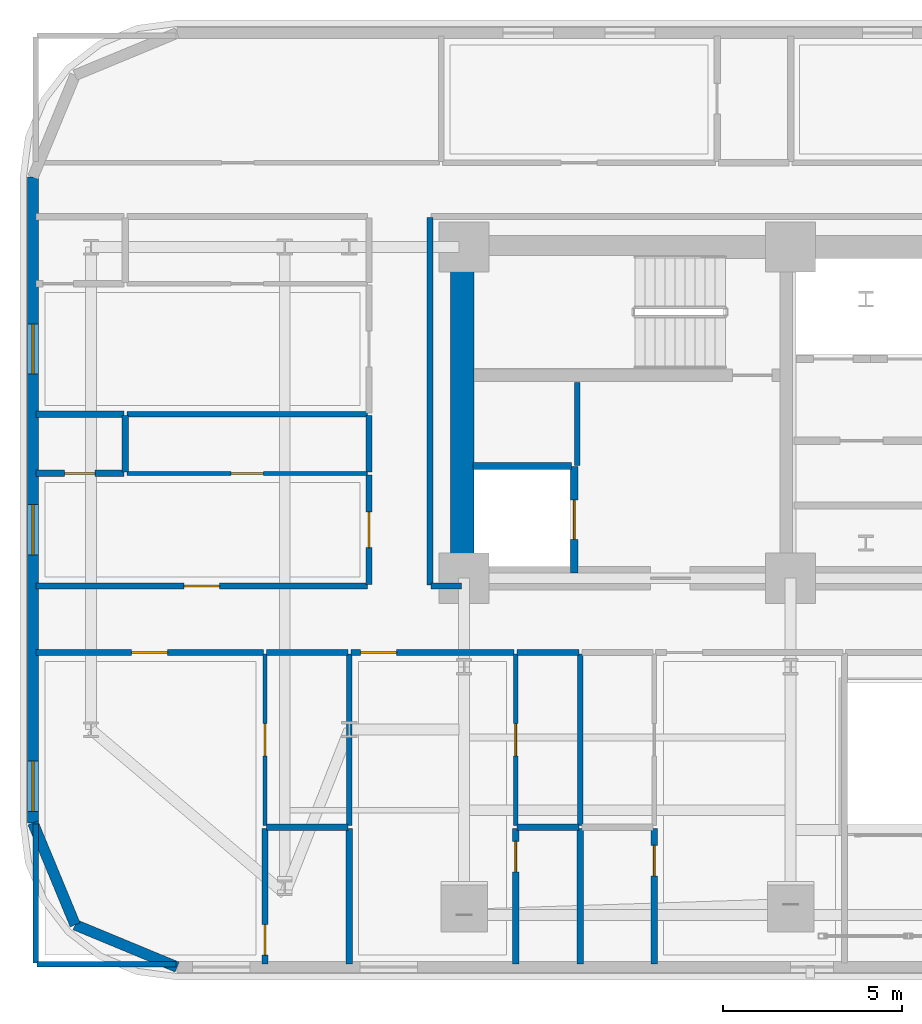
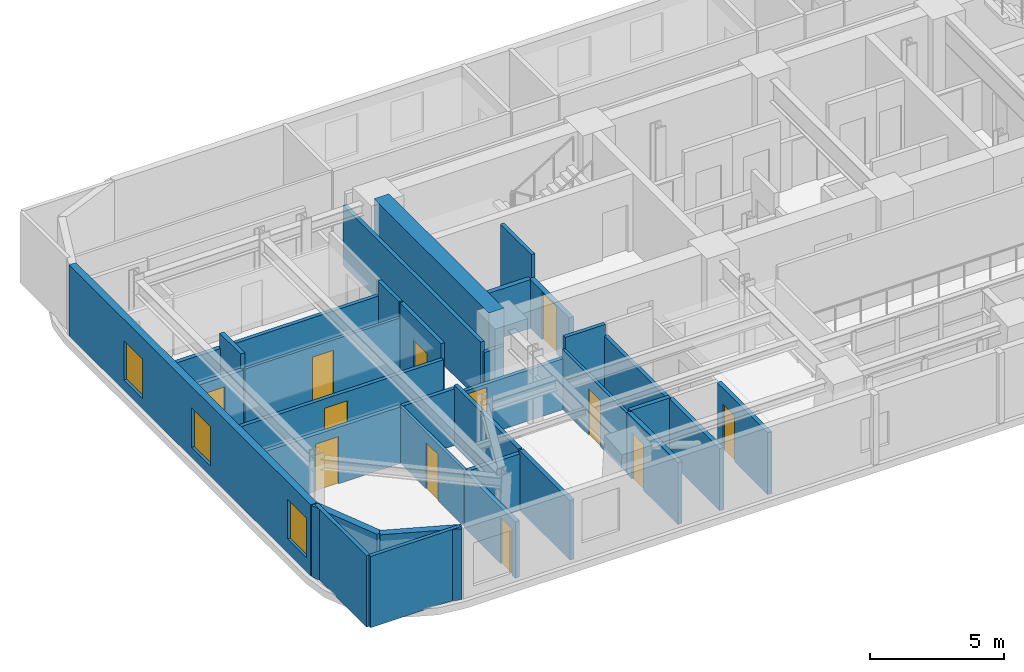
# One storey, part 8 of 16: 34 walls, 12 doors, 3 windows, 15 openings.
"""IFC4 building model written with IfcOpenShell, lengths in metres."""

from ifc_helpers import new_model, si_unit, direction, frame, frame_2d, origin, place, context, subcontext, project, spatial, rectangle, extrude, material, layer, layer_set, type_object, element, fill, save


model = new_model("IFC4")

# Units and contexts
model_context = context("Model", 3, precision=1e-05, world=origin(), true_north=direction((0.0, 1.0)))
body_context = subcontext(model_context, "Body", "Model", "MODEL_VIEW")
ifc_project = project(units=[si_unit("LENGTHUNIT", "METRE"), si_unit("AREAUNIT", "SQUARE_METRE"), si_unit("VOLUMEUNIT", "CUBIC_METRE"), si_unit("PLANEANGLEUNIT", "RADIAN"), si_unit("MASSUNIT", "GRAM", prefix="KILO")], contexts=[model_context])

# Site, building, storey
site_placement = place(None, origin())
site = spatial("IfcSite", under=ifc_project, at=site_placement, CompositionType="ELEMENT")
building_placement = place(site_placement, origin())
building = spatial("IfcBuilding", under=site, at=building_placement, Name="Zarnavel Station Tower", CompositionType="ELEMENT")
storey_placement = place(building_placement, frame((0.0, 0.0, 82.800048828125)))
storey = spatial("IfcBuildingStorey", under=building, at=storey_placement, Name="L22", CompositionType="ELEMENT", Elevation=82.800048828125)

# Wall
ifc_material_1 = material(Name="Concrete C60/75", Category="concrete")
ifc_layer_1 = layer(ifc_material_1, 0.64990234375)
ifc_layer_set_1 = layer_set([ifc_layer_1], Name="CW_650")
wall_type_1 = type_object("IfcWallType", Name="CW_650", PredefinedType="SHEAR", material=ifc_layer_set_1)
wall_1_placement = place(storey_placement, frame((12.14990234375, 28.14501953125, 0.0), z_axis=(0.0, 0.0, 1.0), x_axis=(0.0, 1.0, 0.0)))
element("IfcWall", 1, at=wall_1_placement, inside=storey, type_object=wall_type_1, Name="L22 Rear Core Shear Wall W", PredefinedType="SHEAR", context=body_context, shape_type="SweptSolid", body=[
    extrude(rectangle(XDim=8.580078125, YDim=0.64990234375, at=frame_2d((4.2900390625, 0.0))), origin(), (0.0, 0.0, 1.0), 3.5),
])

# Wall, openings, windows
ifc_material_2 = material(Name="Precast concrete C45/55 (Dark Basalt Finish)", Category="masonry")
ifc_layer_2 = layer(ifc_material_2, 0.300048828125)
ifc_layer_set_2 = layer_set([ifc_layer_2], Name="EW_BASALT_300")
wall_type_2 = type_object("IfcWallType", Name="EW_BASALT_300", PredefinedType="SOLIDWALL", material=ifc_layer_set_2)
wall_2_placement = place(storey_placement, frame((0.179931640625, 21.0, 0.0), z_axis=(0.0, 0.0, 1.0), x_axis=(0.0, 1.0, 0.0)))
wall_2 = element("IfcWall", 2, at=wall_2_placement, inside=storey, type_object=wall_type_2, Name="L22 Exterior Basalt Masonry Frame Wall 09", PredefinedType="SOLIDWALL", context=body_context, shape_type="SweptSolid", body=[
    extrude(rectangle(XDim=18.0, YDim=0.300048828125, at=frame_2d((9.0, 0.0))), origin(), (0.0, 0.0, 1.0), 3.239990234375),
])
opening_1_placement = place(wall_2_placement, frame((7.470458984375, 0.0, 0.47998046875)))
opening_1 = element("IfcOpeningElement", 3, at=opening_1_placement, cuts=wall_2, Name="Opening WN01", PredefinedType="OPENING", context=body_context, shape_type="SweptSolid", body=[
    extrude(rectangle(XDim=1.39990234375, YDim=1.800048828125, at=frame_2d((0.699951171875, 0.89990234375))), frame((0.0, 0.159912109375, 0.0), z_axis=(0.0, -1.0, 0.0), x_axis=(1.0, 0.0, 0.0)), (0.0, 0.0, 1.0), 0.320068359375),
])
opening_2_placement = place(wall_2_placement, frame((12.509033203125, 0.0, 0.47998046875)))
opening_2 = element("IfcOpeningElement", 4, at=opening_2_placement, cuts=wall_2, Name="Opening WN01", PredefinedType="OPENING", context=body_context, shape_type="SweptSolid", body=[
    extrude(rectangle(XDim=1.39990234375, YDim=1.800048828125, at=frame_2d((0.699951171875, 0.89990234375))), frame((0.0, 0.159912109375, 0.0), z_axis=(0.0, -1.0, 0.0), x_axis=(1.0, 0.0, 0.0)), (0.0, 0.0, 1.0), 0.320068359375),
])
opening_3_placement = place(wall_2_placement, frame((0.320068359375, 0.0, 0.64990234375)))
opening_3 = element("IfcOpeningElement", 5, at=opening_3_placement, cuts=wall_2, Name="Opening WN01", PredefinedType="OPENING", context=body_context, shape_type="SweptSolid", body=[
    extrude(rectangle(XDim=1.39990234375, YDim=1.800048828125, at=frame_2d((0.699951171875, 0.89990234375))), frame((0.0, 0.159912109375, 0.0), z_axis=(0.0, -1.0, 0.0), x_axis=(1.0, 0.0, 0.0)), (0.0, 0.0, 1.0), 0.320068359375),
])
ifc_material_3 = material(Name="Thermally Broken Black Aluminium and Low-E Dark Glass", Category="aluminium")
window_type = type_object("IfcWindowType", Name="WN_1400x1800", PartitioningType="DOUBLE_PANEL_VERTICAL", PredefinedType="WINDOW", material=ifc_material_3)
window_1_placement = place(opening_1_placement, origin())
window_1 = element("IfcWindow", 6, at=window_1_placement, inside=storey, type_object=window_type, Name="L22 Recessed Facade Window 01", OverallHeight=1.800048828125, OverallWidth=1.39990234375, PartitioningType="SINGLE_PANEL", PredefinedType="WINDOW", context=body_context, shape_type="SweptSolid", body=[
    extrude(rectangle(XDim=1.39990234375, YDim=1.800048828125, at=frame_2d((0.699951171875, 0.89990234375))), frame((0.0, 0.030029296875, 0.0), z_axis=(0.0, -1.0, 0.0), x_axis=(1.0, 0.0, 0.0)), (0.0, 0.0, 1.0), 0.06005859375),
])
fill(opening_1, window_1)
window_2_placement = place(opening_2_placement, origin())
window_2 = element("IfcWindow", 7, at=window_2_placement, inside=storey, type_object=window_type, Name="L22 Recessed Facade Window 02", OverallHeight=1.800048828125, OverallWidth=1.39990234375, PartitioningType="SINGLE_PANEL", PredefinedType="WINDOW", context=body_context, shape_type="SweptSolid", body=[
    extrude(rectangle(XDim=1.39990234375, YDim=1.800048828125, at=frame_2d((0.699951171875, 0.89990234375))), frame((0.0, 0.030029296875, 0.0), z_axis=(0.0, -1.0, 0.0), x_axis=(1.0, 0.0, 0.0)), (0.0, 0.0, 1.0), 0.06005859375),
])
fill(opening_2, window_2)
window_3_placement = place(opening_3_placement, origin())
window_3 = element("IfcWindow", 8, at=window_3_placement, inside=storey, type_object=window_type, Name="L22 Recessed Facade Window 03", OverallHeight=1.800048828125, OverallWidth=1.39990234375, PartitioningType="SINGLE_PANEL", PredefinedType="WINDOW", context=body_context, shape_type="SweptSolid", body=[
    extrude(rectangle(XDim=1.39990234375, YDim=1.800048828125, at=frame_2d((0.699951171875, 0.89990234375))), frame((0.0, 0.030029296875, 0.0), z_axis=(0.0, -1.0, 0.0), x_axis=(1.0, 0.0, 0.0)), (0.0, 0.0, 1.0), 0.06005859375),
])
fill(opening_3, window_3)

# Walls
for number, where, z_axis, x_axis, name in (
    (9, (1.357421875, 18.157470703125, 0.0), (0.0, 0.0, 1.0), (-0.382704529509, 0.923870793506, 0.0), "L22 Exterior Basalt Masonry Frame Wall 10"),
    (10, (4.199951171875, 16.97998046875, 0.0), (0.0, 0.0, 1.0), (-0.923870793506, 0.382704529509, 0.0), "L22 Exterior Basalt Masonry Frame Wall 11"),
):
    element("IfcWall", number, at=place(storey_placement, frame(where, z_axis=z_axis, x_axis=x_axis)), inside=storey, type_object=wall_type_2, Name=name, PredefinedType="SOLIDWALL", context=body_context, shape_type="SweptSolid", body=[
        extrude(rectangle(XDim=3.07666015625, YDim=0.300048828125, at=frame_2d((1.538330078125, 0.0))), origin(), (0.0, 0.0, 1.0), 3.239990234375),
    ])

# Wall, opening, door
ifc_material_4 = material(Name="Gypsum Twin-Stud Acoustic Fire Partition", Category="concrete")
ifc_layer_3 = layer(ifc_material_4, 0.159912109375)
ifc_layer_set_3 = layer_set([ifc_layer_3], Name="PT_DEMISE_160")
wall_type_3 = type_object("IfcWallType", Name="PT_DEMISE_160", PredefinedType="PARTITIONING", material=ifc_layer_set_3)
wall_3_placement = place(storey_placement, frame((0.260009765625, 27.60009765625, 0.0), z_axis=(0.0, 0.0, 1.0), x_axis=(1.0, 0.0, 0.0)))
wall_3 = element("IfcWall", 11, at=wall_3_placement, inside=storey, type_object=wall_type_3, Name="L22 Partition COR-S-FNW1R", PredefinedType="PARTITIONING", context=body_context, shape_type="SweptSolid", body=[
    extrude(rectangle(XDim=9.25, YDim=0.159912109375, at=frame_2d((4.625, 0.0))), origin(), (0.0, 0.0, 1.0), 2.570068359375),
])
opening_4_placement = place(wall_3_placement, frame((4.125, 0.0, 0.0)))
opening_4 = element("IfcOpeningElement", 12, at=opening_4_placement, cuts=wall_3, Name="Opening FD02", PredefinedType="OPENING", context=body_context, shape_type="SweptSolid", body=[
    extrude(rectangle(XDim=1.0, YDim=2.14990234375, at=frame_2d((0.5, 1.074951171875))), frame((0.0, 0.08984375, 0.0), z_axis=(0.0, -1.0, 0.0), x_axis=(1.0, 0.0, 0.0)), (0.0, 0.0, 1.0), 0.179931640625),
])
ifc_material_5 = material(Name="Painted Galvanised Steel and Hardwood Leaf", Category="steel")
door_type_1 = type_object("IfcDoorType", Name="ID_ENTRY_1000", OperationType="NOTDEFINED", PredefinedType="DOOR", material=ifc_material_5)
door_1_placement = place(opening_4_placement, origin())
door_1 = element("IfcDoor", 13, at=door_1_placement, inside=storey, type_object=door_type_1, Name="L22 Door COR-S-FNW1R", OperationType="SINGLE_SWING_LEFT", OverallHeight=2.14990234375, OverallWidth=1.0, PredefinedType="DOOR", context=body_context, shape_type="SweptSolid", body=[
    extrude(rectangle(XDim=1.0, YDim=2.14990234375, at=frame_2d((0.5, 1.074951171875))), frame((0.0, 0.02490234375, 0.0), z_axis=(0.0, -1.0, 0.0), x_axis=(1.0, 0.0, 0.0)), (0.0, 0.0, 1.0), 0.050048828125),
])
fill(opening_4, door_1)

wall_4_placement = place(storey_placement, frame((0.260009765625, 25.75, 0.0), z_axis=(0.0, 0.0, 1.0), x_axis=(1.0, 0.0, 0.0)))
wall_4 = element("IfcWall", 14, at=wall_4_placement, inside=storey, type_object=wall_type_3, Name="L22 Partition COR-S-HW1R", PredefinedType="PARTITIONING", context=body_context, shape_type="SweptSolid", body=[
    extrude(rectangle(XDim=6.35009765625, YDim=0.159912109375, at=frame_2d((3.175048828125, 0.0))), origin(), (0.0, 0.0, 1.0), 2.570068359375),
])
opening_5_placement = place(wall_4_placement, frame((2.675048828125, 0.0, 0.0)))
opening_5 = element("IfcOpeningElement", 15, at=opening_5_placement, cuts=wall_4, Name="Opening FD02", PredefinedType="OPENING", context=body_context, shape_type="SweptSolid", body=[
    extrude(rectangle(XDim=1.0, YDim=2.14990234375, at=frame_2d((0.5, 1.074951171875))), frame((0.0, 0.08984375, 0.0), z_axis=(0.0, -1.0, 0.0), x_axis=(1.0, 0.0, 0.0)), (0.0, 0.0, 1.0), 0.179931640625),
])
door_2_placement = place(opening_5_placement, origin())
door_2 = element("IfcDoor", 16, at=door_2_placement, inside=storey, type_object=door_type_1, Name="L22 Door COR-S-HW1R", OperationType="SINGLE_SWING_LEFT", OverallHeight=2.14990234375, OverallWidth=1.0, PredefinedType="DOOR", context=body_context, shape_type="SweptSolid", body=[
    extrude(rectangle(XDim=1.0, YDim=2.14990234375, at=frame_2d((0.5, 1.074951171875))), frame((0.0, 0.02490234375, 0.0), z_axis=(0.0, -1.0, 0.0), x_axis=(1.0, 0.0, 0.0)), (0.0, 0.0, 1.0), 0.050048828125),
])
fill(opening_5, door_2)

# Wall
wall_5_placement = place(storey_placement, frame((6.68994140625, 25.75, 0.0), z_axis=(0.0, 0.0, 1.0), x_axis=(1.0, 0.0, 0.0)))
element("IfcWall", 17, at=wall_5_placement, inside=storey, type_object=wall_type_3, Name="L22 Partition COR-S-HW1S", PredefinedType="PARTITIONING", context=body_context, shape_type="SweptSolid", body=[
    extrude(rectangle(XDim=2.27001953125, YDim=0.159912109375, at=frame_2d((1.135009765625, 0.0))), origin(), (0.0, 0.0, 1.0), 2.570068359375),
])

# Wall, opening, door
wall_6_placement = place(storey_placement, frame((9.0400390625, 25.75, 0.0), z_axis=(0.0, 0.0, 1.0), x_axis=(1.0, 0.0, 0.0)))
wall_6 = element("IfcWall", 18, at=wall_6_placement, inside=storey, type_object=wall_type_3, Name="L22 Partition COR-S-HW2R", PredefinedType="PARTITIONING", context=body_context, shape_type="SweptSolid", body=[
    extrude(rectangle(XDim=4.556884765625, YDim=0.159912109375, at=frame_2d((2.2783203125, 0.0))), origin(), (0.0, 0.0, 1.0), 2.31005859375),
])
opening_6_placement = place(wall_6_placement, frame((0.276611328125, 0.0, 0.0)))
opening_6 = element("IfcOpeningElement", 19, at=opening_6_placement, cuts=wall_6, Name="Opening FD02", PredefinedType="OPENING", context=body_context, shape_type="SweptSolid", body=[
    extrude(rectangle(XDim=1.0, YDim=2.14990234375, at=frame_2d((0.5, 1.074951171875))), frame((0.0, 0.08984375, 0.0), z_axis=(0.0, -1.0, 0.0), x_axis=(1.0, 0.0, 0.0)), (0.0, 0.0, 1.0), 0.179931640625),
])
door_3_placement = place(opening_6_placement, origin())
door_3 = element("IfcDoor", 20, at=door_3_placement, inside=storey, type_object=door_type_1, Name="L22 Door COR-S-HW2R", OperationType="SINGLE_SWING_RIGHT", OverallHeight=2.14990234375, OverallWidth=1.0, PredefinedType="DOOR", context=body_context, shape_type="SweptSolid", body=[
    extrude(rectangle(XDim=1.0, YDim=2.14990234375, at=frame_2d((0.5, 1.074951171875))), frame((0.0, 0.02490234375, 0.0), z_axis=(0.0, -1.0, 0.0), x_axis=(1.0, 0.0, 0.0)), (0.0, 0.0, 1.0), 0.050048828125),
])
fill(opening_6, door_3)

# Wall
wall_7_placement = place(storey_placement, frame((13.677001953125, 25.75, 0.0), z_axis=(0.0, 0.0, 1.0), x_axis=(1.0, 0.0, 0.0)))
element("IfcWall", 21, at=wall_7_placement, inside=storey, type_object=wall_type_3, Name="L22 Partition COR-S-HW2S", PredefinedType="PARTITIONING", context=body_context, shape_type="SweptSolid", body=[
    extrude(rectangle(XDim=1.722900390625, YDim=0.159912109375, at=frame_2d((0.861328125, 0.0))), origin(), (0.0, 0.0, 1.0), 3.239990234375),
])

# Wall, opening, door
wall_8_placement = place(storey_placement, frame((9.550048828125, 27.639892578125, 0.0), z_axis=(0.0, 0.0, 1.0), x_axis=(0.0, 1.0, 0.0)))
wall_8 = element("IfcWall", 22, at=wall_8_placement, inside=storey, type_object=wall_type_3, Name="L22 Partition COR-W-FNW1R", PredefinedType="PARTITIONING", context=body_context, shape_type="SweptSolid", body=[
    extrude(rectangle(XDim=3.06103515625, YDim=0.159912109375, at=frame_2d((1.530517578125, 0.0))), origin(), (0.0, 0.0, 1.0), 3.239990234375),
])
opening_7_placement = place(wall_8_placement, frame((1.030517578125, 0.0, 0.0)))
opening_7 = element("IfcOpeningElement", 23, at=opening_7_placement, cuts=wall_8, Name="Opening FD02", PredefinedType="OPENING", context=body_context, shape_type="SweptSolid", body=[
    extrude(rectangle(XDim=1.0, YDim=2.14990234375, at=frame_2d((0.5, 1.074951171875))), frame((0.0, 0.08984375, 0.0), z_axis=(0.0, -1.0, 0.0), x_axis=(1.0, 0.0, 0.0)), (0.0, 0.0, 1.0), 0.179931640625),
])
door_4_placement = place(opening_7_placement, origin())
door_4 = element("IfcDoor", 24, at=door_4_placement, inside=storey, type_object=door_type_1, Name="L22 Door COR-W-FNW1R", OperationType="SINGLE_SWING_LEFT", OverallHeight=2.14990234375, OverallWidth=1.0, PredefinedType="DOOR", context=body_context, shape_type="SweptSolid", body=[
    extrude(rectangle(XDim=1.0, YDim=2.14990234375, at=frame_2d((0.5, 1.074951171875))), frame((0.0, 0.02490234375, 0.0), z_axis=(0.0, -1.0, 0.0), x_axis=(1.0, 0.0, 0.0)), (0.0, 0.0, 1.0), 0.050048828125),
])
fill(opening_7, door_4)

# Walls
wall_9_placement = place(storey_placement, frame((9.550048828125, 30.781005859375, 0.0), z_axis=(0.0, 0.0, 1.0), x_axis=(0.0, 1.0, 0.0)))
element("IfcWall", 25, at=wall_9_placement, inside=storey, type_object=wall_type_3, Name="L22 Partition COR-W-FNW1S", PredefinedType="PARTITIONING", context=body_context, shape_type="SweptSolid", body=[
    extrude(rectangle(XDim=1.570068359375, YDim=0.159912109375, at=frame_2d((0.78515625, 0.0))), origin(), (0.0, 0.0, 1.0), 3.239990234375),
])
wall_10_placement = place(storey_placement, frame((2.800048828125, 32.39111328125, 0.0), z_axis=(0.0, 0.0, 1.0), x_axis=(1.0, 0.0, 0.0)))
element("IfcWall", 26, at=wall_10_placement, inside=storey, type_object=wall_type_3, Name="L22 Partition FNW1S-FNW2R", PredefinedType="PARTITIONING", context=body_context, shape_type="SweptSolid", body=[
    extrude(rectangle(XDim=6.7099609375, YDim=0.159912109375, at=frame_2d((3.35498046875, 0.0))), origin(), (0.0, 0.0, 1.0), 2.570068359375),
])
for number, where, z_axis, x_axis, name in (
    (27, (9.0, 20.924072265625, 0.0), (0.0, 0.0, 1.0), (0.0, 1.0, 0.0), "L22 Partition HW1S-HW2R"),
    (28, (15.43994140625, 20.924072265625, 0.0), (0.0, 0.0, 1.0), (0.0, 1.0, 0.0), "L22 Partition HW2S-HW3S"),
):
    element("IfcWall", number, at=place(storey_placement, frame(where, z_axis=z_axis, x_axis=x_axis)), inside=storey, type_object=wall_type_3, Name=name, PredefinedType="PARTITIONING", context=body_context, shape_type="SweptSolid", body=[
        extrude(rectangle(XDim=4.785888671875, YDim=0.159912109375, at=frame_2d((2.39306640625, 0.0))), origin(), (0.0, 0.0, 1.0), 2.719970703125),
    ])
wall_11_placement = place(storey_placement, frame((15.35009765625, 30.9599609375, 0.0), z_axis=(0.0, 0.0, 1.0), x_axis=(0.0, 1.0, 0.0)))
element("IfcWall", 29, at=wall_11_placement, inside=storey, type_object=wall_type_3, Name="L22 Enclosure Wall FFL1", PredefinedType="PARTITIONING", context=body_context, shape_type="SweptSolid", body=[
    extrude(rectangle(XDim=2.31005859375, YDim=0.159912109375, at=frame_2d((1.155029296875, 0.0))), origin(), (0.0, 0.0, 1.0), 3.239990234375),
])
wall_12_placement = place(storey_placement, frame((11.280029296875, 27.60009765625, 0.0), z_axis=(0.0, 0.0, 1.0), x_axis=(1.0, 0.0, 0.0)))
element("IfcWall", 30, at=wall_12_placement, inside=storey, type_object=wall_type_3, Name="L22 Enclosure Wall COR-S", PredefinedType="PARTITIONING", context=body_context, shape_type="SweptSolid", body=[
    extrude(rectangle(XDim=0.840087890625, YDim=0.159912109375, at=frame_2d((0.419921875, 0.0))), origin(), (0.0, 0.0, 1.0), 2.280029296875),
])
wall_13_placement = place(storey_placement, frame((11.25, 27.6298828125, 0.0), z_axis=(0.0, 0.0, 1.0), x_axis=(0.0, 1.0, 0.0)))
element("IfcWall", 31, at=wall_13_placement, inside=storey, type_object=wall_type_3, Name="L22 Enclosure Wall COR-W", PredefinedType="PARTITIONING", context=body_context, shape_type="SweptSolid", body=[
    extrude(rectangle(XDim=10.240234375, YDim=0.159912109375, at=frame_2d((5.1201171875, 0.0))), origin(), (0.0, 0.0, 1.0), 2.719970703125),
])
for number, where, z_axis, x_axis, name in (
    (32, (0.2900390625, 17.06005859375, 0.0), (0.0, 0.0, 1.0), (1.0, 0.0, 0.0), "L22 Enclosure Wall HW1R"),
    (33, (0.260009765625, 17.090087890625, 0.0), (0.0, 0.0, 1.0), (0.0, 1.0, 0.0), "L22 Enclosure Wall HW1R"),
):
    element("IfcWall", number, at=place(storey_placement, frame(where, z_axis=z_axis, x_axis=x_axis)), inside=storey, type_object=wall_type_3, Name=name, PredefinedType="PARTITIONING", context=body_context, shape_type="SweptSolid", body=[
        extrude(rectangle(XDim=3.8798828125, YDim=0.159912109375, at=frame_2d((1.93994140625, 0.0))), origin(), (0.0, 0.0, 1.0), 3.239990234375),
    ])

# Wall, opening, door
ifc_material_6 = material(Name="Gypsum Metal-Stud Interior Partition", Category="concrete")
ifc_layer_4 = layer(ifc_material_6, 0.1201171875)
ifc_layer_set_4 = layer_set([ifc_layer_4], Name="PT_ROOM_120")
wall_type_4 = type_object("IfcWallType", Name="PT_ROOM_120", PredefinedType="PARTITIONING", material=ifc_layer_set_4)
wall_14_placement = place(storey_placement, frame((2.800048828125, 30.740966796875, 0.0), z_axis=(0.0, 0.0, 1.0), x_axis=(1.0, 0.0, 0.0)))
wall_14 = element("IfcWall", 34, at=wall_14_placement, inside=storey, type_object=wall_type_4, Name="L22 Partition FNW1R-FNW1S", PredefinedType="PARTITIONING", context=body_context, shape_type="SweptSolid", body=[
    extrude(rectangle(XDim=6.7099609375, YDim=0.1201171875, at=frame_2d((3.35498046875, 0.0))), origin(), (0.0, 0.0, 1.0), 2.570068359375),
])
opening_8_placement = place(wall_14_placement, frame((2.905029296875, 0.0, 0.0)))
opening_8 = element("IfcOpeningElement", 35, at=opening_8_placement, cuts=wall_14, Name="Opening ID01", PredefinedType="OPENING", context=body_context, shape_type="SweptSolid", body=[
    extrude(rectangle(XDim=0.89990234375, YDim=2.10009765625, at=frame_2d((0.449951171875, 1.050048828125))), frame((0.0, 0.070068359375, 0.0), z_axis=(0.0, -1.0, 0.0), x_axis=(1.0, 0.0, 0.0)), (0.0, 0.0, 1.0), 0.14013671875),
])
ifc_material_7 = material(Name="Painted Galvanised Steel and Hardwood Leaf", Category="steel")
door_type_2 = type_object("IfcDoorType", Name="ID_ROOM_900", OperationType="NOTDEFINED", PredefinedType="DOOR", material=ifc_material_7)
door_5_placement = place(opening_8_placement, origin())
door_5 = element("IfcDoor", 36, at=door_5_placement, inside=storey, type_object=door_type_2, Name="L22 Door FNW1R-FNW1S", OperationType="SINGLE_SWING_RIGHT", OverallHeight=2.10009765625, OverallWidth=0.89990234375, PredefinedType="DOOR", context=body_context, shape_type="SweptSolid", body=[
    extrude(rectangle(XDim=0.89990234375, YDim=2.10009765625, at=frame_2d((0.449951171875, 1.050048828125))), frame((0.0, 0.02490234375, 0.0), z_axis=(0.0, -1.0, 0.0), x_axis=(1.0, 0.0, 0.0)), (0.0, 0.0, 1.0), 0.050048828125),
])
fill(opening_8, door_5)

wall_15_placement = place(storey_placement, frame((6.64990234375, 20.924072265625, 0.0), z_axis=(0.0, 0.0, 1.0), x_axis=(0.0, 1.0, 0.0)))
wall_15 = element("IfcWall", 37, at=wall_15_placement, inside=storey, type_object=wall_type_4, Name="L22 Partition HW1R-HW1S", PredefinedType="PARTITIONING", context=body_context, shape_type="SweptSolid", body=[
    extrude(rectangle(XDim=4.785888671875, YDim=0.1201171875, at=frame_2d((2.39306640625, 0.0))), origin(), (0.0, 0.0, 1.0), 2.570068359375),
])
opening_9_placement = place(wall_15_placement, frame((1.943115234375, 0.0, 0.0)))
opening_9 = element("IfcOpeningElement", 38, at=opening_9_placement, cuts=wall_15, Name="Opening ID01", PredefinedType="OPENING", context=body_context, shape_type="SweptSolid", body=[
    extrude(rectangle(XDim=0.89990234375, YDim=2.10009765625, at=frame_2d((0.449951171875, 1.050048828125))), frame((0.0, 0.070068359375, 0.0), z_axis=(0.0, -1.0, 0.0), x_axis=(1.0, 0.0, 0.0)), (0.0, 0.0, 1.0), 0.14013671875),
])
door_6_placement = place(opening_9_placement, origin())
door_6 = element("IfcDoor", 39, at=door_6_placement, inside=storey, type_object=door_type_2, Name="L22 Door HW1R-HW1S", OperationType="SINGLE_SWING_LEFT", OverallHeight=2.10009765625, OverallWidth=0.89990234375, PredefinedType="DOOR", context=body_context, shape_type="SweptSolid", body=[
    extrude(rectangle(XDim=0.89990234375, YDim=2.10009765625, at=frame_2d((0.449951171875, 1.050048828125))), frame((0.0, 0.02490234375, 0.0), z_axis=(0.0, -1.0, 0.0), x_axis=(1.0, 0.0, 0.0)), (0.0, 0.0, 1.0), 0.050048828125),
])
fill(opening_9, door_6)

wall_16_placement = place(storey_placement, frame((13.636962890625, 20.924072265625, 0.0), z_axis=(0.0, 0.0, 1.0), x_axis=(0.0, 1.0, 0.0)))
wall_16 = element("IfcWall", 40, at=wall_16_placement, inside=storey, type_object=wall_type_4, Name="L22 Partition HW2R-HW2S", PredefinedType="PARTITIONING", context=body_context, shape_type="SweptSolid", body=[
    extrude(rectangle(XDim=4.785888671875, YDim=0.1201171875, at=frame_2d((2.39306640625, 0.0))), origin(), (0.0, 0.0, 1.0), 2.719970703125),
])
opening_10_placement = place(wall_16_placement, frame((1.943115234375, 0.0, 0.0)))
opening_10 = element("IfcOpeningElement", 41, at=opening_10_placement, cuts=wall_16, Name="Opening ID01", PredefinedType="OPENING", context=body_context, shape_type="SweptSolid", body=[
    extrude(rectangle(XDim=0.89990234375, YDim=2.10009765625, at=frame_2d((0.449951171875, 1.050048828125))), frame((0.0, 0.070068359375, 0.0), z_axis=(0.0, -1.0, 0.0), x_axis=(1.0, 0.0, 0.0)), (0.0, 0.0, 1.0), 0.14013671875),
])
door_7_placement = place(opening_10_placement, origin())
door_7 = element("IfcDoor", 42, at=door_7_placement, inside=storey, type_object=door_type_2, Name="L22 Door HW2R-HW2S", OperationType="SINGLE_SWING_LEFT", OverallHeight=2.10009765625, OverallWidth=0.89990234375, PredefinedType="DOOR", context=body_context, shape_type="SweptSolid", body=[
    extrude(rectangle(XDim=0.89990234375, YDim=2.10009765625, at=frame_2d((0.449951171875, 1.050048828125))), frame((0.0, 0.02490234375, 0.0), z_axis=(0.0, -1.0, 0.0), x_axis=(1.0, 0.0, 0.0)), (0.0, 0.0, 1.0), 0.050048828125),
])
fill(opening_10, door_7)

ifc_material_8 = material(Name="Precast concrete C45/55 (Fire Shaft Blockwork)", Category="masonry")
ifc_layer_5 = layer(ifc_material_8, 0.199951171875)
ifc_layer_set_5 = layer_set([ifc_layer_5], Name="PT_SHAFT_200")
wall_type_5 = type_object("IfcWallType", Name="PT_SHAFT_200", PredefinedType="PARTITIONING", material=ifc_layer_set_5)
wall_17_placement = place(storey_placement, frame((15.27001953125, 27.969970703125, 0.0), z_axis=(0.0, 0.0, 1.0), x_axis=(0.0, 1.0, 0.0)))
wall_17 = element("IfcWall", 43, at=wall_17_placement, inside=storey, type_object=wall_type_5, Name="L22 Lift FFL-01 Shaft Front Wall", PredefinedType="PARTITIONING", context=body_context, shape_type="SweptSolid", body=[
    extrude(rectangle(XDim=2.9599609375, YDim=0.199951171875, at=frame_2d((1.47998046875, 0.0))), origin(), (0.0, 0.0, 1.0), 2.2119140625),
])
opening_11_placement = place(wall_17_placement, frame((0.929931640625, 0.0, 0.0)))
opening_11 = element("IfcOpeningElement", 44, at=opening_11_placement, cuts=wall_17, Name="Opening LD01", PredefinedType="OPENING", context=body_context, shape_type="SweptSolid", body=[
    extrude(rectangle(XDim=1.10009765625, YDim=2.14990234375, at=frame_2d((0.550048828125, 1.074951171875))), frame((0.0, 0.10986328125, 0.0), z_axis=(0.0, -1.0, 0.0), x_axis=(1.0, 0.0, 0.0)), (0.0, 0.0, 1.0), 0.219970703125),
])
ifc_material_9 = material(Name="Painted Galvanised Steel and Hardwood Leaf", Category="steel")
door_type_3 = type_object("IfcDoorType", Name="LD_FF_1100", OperationType="DOUBLE_DOOR_SLIDING", PredefinedType="DOOR", material=ifc_material_9)
door_8_placement = place(opening_11_placement, origin())
door_8 = element("IfcDoor", 45, at=door_8_placement, inside=storey, type_object=door_type_3, Name="L22 Lift FFL-01 Sliding Landing Door", OperationType="DOUBLE_DOOR_SLIDING", OverallHeight=2.14990234375, OverallWidth=1.10009765625, PredefinedType="DOOR", context=body_context, shape_type="SweptSolid", body=[
    extrude(rectangle(XDim=1.10009765625, YDim=2.14990234375, at=frame_2d((0.550048828125, 1.074951171875))), frame((0.0, 0.02490234375, 0.0), z_axis=(0.0, -1.0, 0.0), x_axis=(1.0, 0.0, 0.0)), (0.0, 0.0, 1.0), 0.050048828125),
])
fill(opening_11, door_8)

# Wall
wall_18_placement = place(storey_placement, frame((12.449951171875, 30.949951171875, 0.0), z_axis=(0.0, 0.0, 1.0), x_axis=(1.0, 0.0, 0.0)))
element("IfcWall", 46, at=wall_18_placement, inside=storey, type_object=wall_type_5, Name="L22 Lift FFL-01 North Shaft Wall", PredefinedType="PARTITIONING", context=body_context, shape_type="SweptSolid", body=[
    extrude(rectangle(XDim=2.75, YDim=0.199951171875, at=frame_2d((1.375, 0.0))), origin(), (0.0, 0.0, 1.0), 2.2119140625),
])

# Wall, opening, door
ifc_material_10 = material(Name="Moisture-Resistant Plumbing Chase Wall", Category="concrete")
ifc_layer_6 = layer(ifc_material_10, 0.179931640625)
ifc_layer_set_6 = layer_set([ifc_layer_6], Name="PW_PLUMB_180")
wall_type_6 = type_object("IfcWallType", Name="PW_PLUMB_180", PredefinedType="PLUMBINGWALL", material=ifc_layer_set_6)
wall_19_placement = place(storey_placement, frame((0.260009765625, 30.740966796875, 0.0), z_axis=(0.0, 0.0, 1.0), x_axis=(1.0, 0.0, 0.0)))
wall_19 = element("IfcWall", 47, at=wall_19_placement, inside=storey, type_object=wall_type_6, Name="L22 Partition FNW1R-FNW1B", PredefinedType="PLUMBINGWALL", context=body_context, shape_type="SweptSolid", body=[
    extrude(rectangle(XDim=2.4599609375, YDim=0.179931640625, at=frame_2d((1.22998046875, 0.0))), origin(), (0.0, 0.0, 1.0), 2.570068359375),
])
opening_12_placement = place(wall_19_placement, frame((0.804931640625, 0.0, 0.0)))
opening_12 = element("IfcOpeningElement", 48, at=opening_12_placement, cuts=wall_19, Name="Opening ID02", PredefinedType="OPENING", context=body_context, shape_type="SweptSolid", body=[
    extrude(rectangle(XDim=0.85009765625, YDim=2.10009765625, at=frame_2d((0.425048828125, 1.050048828125))), frame((0.0, 0.099853515625, 0.0), z_axis=(0.0, -1.0, 0.0), x_axis=(1.0, 0.0, 0.0)), (0.0, 0.0, 1.0), 0.199951171875),
])
ifc_material_11 = material(Name="Painted Galvanised Steel and Hardwood Leaf", Category="steel")
door_type_4 = type_object("IfcDoorType", Name="ID_BATH_850", OperationType="NOTDEFINED", PredefinedType="DOOR", material=ifc_material_11)
door_9_placement = place(opening_12_placement, origin())
door_9 = element("IfcDoor", 49, at=door_9_placement, inside=storey, type_object=door_type_4, Name="L22 Door FNW1R-FNW1B", OperationType="SINGLE_SWING_LEFT", OverallHeight=2.10009765625, OverallWidth=0.85009765625, PredefinedType="DOOR", context=body_context, shape_type="SweptSolid", body=[
    extrude(rectangle(XDim=0.85009765625, YDim=2.10009765625, at=frame_2d((0.425048828125, 1.050048828125))), frame((0.0, 0.02490234375, 0.0), z_axis=(0.0, -1.0, 0.0), x_axis=(1.0, 0.0, 0.0)), (0.0, 0.0, 1.0), 0.050048828125),
])
fill(opening_12, door_9)

# Walls
wall_20_placement = place(storey_placement, frame((2.760009765625, 30.781005859375, 0.0), z_axis=(0.0, 0.0, 1.0), x_axis=(0.0, 1.0, 0.0)))
element("IfcWall", 50, at=wall_20_placement, inside=storey, type_object=wall_type_6, Name="L22 Partition FNW1B-FNW1S", PredefinedType="PLUMBINGWALL", context=body_context, shape_type="SweptSolid", body=[
    extrude(rectangle(XDim=1.570068359375, YDim=0.179931640625, at=frame_2d((0.78515625, 0.0))), origin(), (0.0, 0.0, 1.0), 3.239990234375),
])
wall_21_placement = place(storey_placement, frame((0.260009765625, 32.39111328125, 0.0), z_axis=(0.0, 0.0, 1.0), x_axis=(1.0, 0.0, 0.0)))
element("IfcWall", 51, at=wall_21_placement, inside=storey, type_object=wall_type_6, Name="L22 Partition FNW1B-FNW2R", PredefinedType="PLUMBINGWALL", context=body_context, shape_type="SweptSolid", body=[
    extrude(rectangle(XDim=2.4599609375, YDim=0.179931640625, at=frame_2d((1.22998046875, 0.0))), origin(), (0.0, 0.0, 1.0), 2.570068359375),
])

# Wall, opening, door
wall_22_placement = place(storey_placement, frame((6.64990234375, 17.06005859375, 0.0), z_axis=(0.0, 0.0, 1.0), x_axis=(0.0, 1.0, 0.0)))
wall_22 = element("IfcWall", 52, at=wall_22_placement, inside=storey, type_object=wall_type_6, Name="L22 Partition HW1R-HW1B", PredefinedType="PLUMBINGWALL", context=body_context, shape_type="SweptSolid", body=[
    extrude(rectangle(XDim=3.783935546875, YDim=0.179931640625, at=frame_2d((1.89208984375, 0.0))), origin(), (0.0, 0.0, 1.0), 2.570068359375),
])
opening_13_placement = place(wall_22_placement, frame((0.25048828125, 0.0, 0.0)))
opening_13 = element("IfcOpeningElement", 53, at=opening_13_placement, cuts=wall_22, Name="Opening ID02", PredefinedType="OPENING", context=body_context, shape_type="SweptSolid", body=[
    extrude(rectangle(XDim=0.85009765625, YDim=2.10009765625, at=frame_2d((0.425048828125, 1.050048828125))), frame((0.0, 0.099853515625, 0.0), z_axis=(0.0, -1.0, 0.0), x_axis=(1.0, 0.0, 0.0)), (0.0, 0.0, 1.0), 0.199951171875),
])
door_10_placement = place(opening_13_placement, origin())
door_10 = element("IfcDoor", 54, at=door_10_placement, inside=storey, type_object=door_type_4, Name="L22 Door HW1R-HW1B", OperationType="SINGLE_SWING_RIGHT", OverallHeight=2.10009765625, OverallWidth=0.85009765625, PredefinedType="DOOR", context=body_context, shape_type="SweptSolid", body=[
    extrude(rectangle(XDim=0.85009765625, YDim=2.10009765625, at=frame_2d((0.425048828125, 1.050048828125))), frame((0.0, 0.02490234375, 0.0), z_axis=(0.0, -1.0, 0.0), x_axis=(1.0, 0.0, 0.0)), (0.0, 0.0, 1.0), 0.050048828125),
])
fill(opening_13, door_10)

# Walls
wall_23_placement = place(storey_placement, frame((6.68994140625, 20.884033203125, 0.0), z_axis=(0.0, 0.0, 1.0), x_axis=(1.0, 0.0, 0.0)))
element("IfcWall", 55, at=wall_23_placement, inside=storey, type_object=wall_type_6, Name="L22 Partition HW1B-HW1S", PredefinedType="PLUMBINGWALL", context=body_context, shape_type="SweptSolid", body=[
    extrude(rectangle(XDim=2.27001953125, YDim=0.179931640625, at=frame_2d((1.135009765625, 0.0))), origin(), (0.0, 0.0, 1.0), 2.570068359375),
])
wall_24_placement = place(storey_placement, frame((9.0, 17.06005859375, 0.0), z_axis=(0.0, 0.0, 1.0), x_axis=(0.0, 1.0, 0.0)))
element("IfcWall", 56, at=wall_24_placement, inside=storey, type_object=wall_type_6, Name="L22 Partition HW1B-HW2R", PredefinedType="PLUMBINGWALL", context=body_context, shape_type="SweptSolid", body=[
    extrude(rectangle(XDim=3.783935546875, YDim=0.179931640625, at=frame_2d((1.89208984375, 0.0))), origin(), (0.0, 0.0, 1.0), 2.719970703125),
])

# Wall, opening, door
wall_25_placement = place(storey_placement, frame((13.636962890625, 17.06005859375, 0.0), z_axis=(0.0, 0.0, 1.0), x_axis=(0.0, 1.0, 0.0)))
wall_25 = element("IfcWall", 57, at=wall_25_placement, inside=storey, type_object=wall_type_6, Name="L22 Partition HW2R-HW2B", PredefinedType="PLUMBINGWALL", context=body_context, shape_type="SweptSolid", body=[
    extrude(rectangle(XDim=3.783935546875, YDim=0.179931640625, at=frame_2d((1.89208984375, 0.0))), origin(), (0.0, 0.0, 1.0), 2.820068359375),
])
opening_14_placement = place(wall_25_placement, frame((2.57275390625, 0.0, 0.0)))
opening_14 = element("IfcOpeningElement", 58, at=opening_14_placement, cuts=wall_25, Name="Opening ID02", PredefinedType="OPENING", context=body_context, shape_type="SweptSolid", body=[
    extrude(rectangle(XDim=0.85009765625, YDim=2.10009765625, at=frame_2d((0.425048828125, 1.050048828125))), frame((0.0, 0.099853515625, 0.0), z_axis=(0.0, -1.0, 0.0), x_axis=(1.0, 0.0, 0.0)), (0.0, 0.0, 1.0), 0.199951171875),
])
door_11_placement = place(opening_14_placement, origin())
door_11 = element("IfcDoor", 59, at=door_11_placement, inside=storey, type_object=door_type_4, Name="L22 Door HW2R-HW2B", OperationType="SINGLE_SWING_RIGHT", OverallHeight=2.10009765625, OverallWidth=0.85009765625, PredefinedType="DOOR", context=body_context, shape_type="SweptSolid", body=[
    extrude(rectangle(XDim=0.85009765625, YDim=2.10009765625, at=frame_2d((0.425048828125, 1.050048828125))), frame((0.0, 0.02490234375, 0.0), z_axis=(0.0, -1.0, 0.0), x_axis=(1.0, 0.0, 0.0)), (0.0, 0.0, 1.0), 0.050048828125),
])
fill(opening_14, door_11)

# Walls
wall_26_placement = place(storey_placement, frame((13.677001953125, 20.884033203125, 0.0), z_axis=(0.0, 0.0, 1.0), x_axis=(1.0, 0.0, 0.0)))
element("IfcWall", 60, at=wall_26_placement, inside=storey, type_object=wall_type_6, Name="L22 Partition HW2B-HW2S", PredefinedType="PLUMBINGWALL", context=body_context, shape_type="SweptSolid", body=[
    extrude(rectangle(XDim=1.722900390625, YDim=0.179931640625, at=frame_2d((0.861328125, 0.0))), origin(), (0.0, 0.0, 1.0), 2.869873046875),
])
wall_27_placement = place(storey_placement, frame((15.43994140625, 17.06005859375, 0.0), z_axis=(0.0, 0.0, 1.0), x_axis=(0.0, 1.0, 0.0)))
element("IfcWall", 61, at=wall_27_placement, inside=storey, type_object=wall_type_6, Name="L22 Partition HW2B-HW3B", PredefinedType="PLUMBINGWALL", context=body_context, shape_type="SweptSolid", body=[
    extrude(rectangle(XDim=3.783935546875, YDim=0.179931640625, at=frame_2d((1.89208984375, 0.0))), origin(), (0.0, 0.0, 1.0), 2.820068359375),
])

# Wall, opening, door
wall_28_placement = place(storey_placement, frame((17.5009765625, 17.06005859375, 0.0), z_axis=(0.0, 0.0, 1.0), x_axis=(0.0, 1.0, 0.0)))
wall_28 = element("IfcWall", 62, at=wall_28_placement, inside=storey, type_object=wall_type_6, Name="L22 Partition HW3R-HW3B", PredefinedType="PLUMBINGWALL", context=body_context, shape_type="SweptSolid", body=[
    extrude(rectangle(XDim=3.783935546875, YDim=0.179931640625, at=frame_2d((1.89208984375, 0.0))), origin(), (0.0, 0.0, 1.0), 2.820068359375),
])
opening_15_placement = place(wall_28_placement, frame((2.46240234375, 0.0, 0.0)))
opening_15 = element("IfcOpeningElement", 63, at=opening_15_placement, cuts=wall_28, Name="Opening ID02", PredefinedType="OPENING", context=body_context, shape_type="SweptSolid", body=[
    extrude(rectangle(XDim=0.85009765625, YDim=2.10009765625, at=frame_2d((0.425048828125, 1.050048828125))), frame((0.0, 0.099853515625, 0.0), z_axis=(0.0, -1.0, 0.0), x_axis=(1.0, 0.0, 0.0)), (0.0, 0.0, 1.0), 0.199951171875),
])
door_12_placement = place(opening_15_placement, origin())
door_12 = element("IfcDoor", 64, at=door_12_placement, inside=storey, type_object=door_type_4, Name="L22 Door HW3R-HW3B", OperationType="SINGLE_SWING_RIGHT", OverallHeight=2.10009765625, OverallWidth=0.85009765625, PredefinedType="DOOR", context=body_context, shape_type="SweptSolid", body=[
    extrude(rectangle(XDim=0.85009765625, YDim=2.10009765625, at=frame_2d((0.425048828125, 1.050048828125))), frame((0.0, 0.02490234375, 0.0), z_axis=(0.0, -1.0, 0.0), x_axis=(1.0, 0.0, 0.0)), (0.0, 0.0, 1.0), 0.050048828125),
])
fill(opening_15, door_12)

save(model, "model.ifc")
